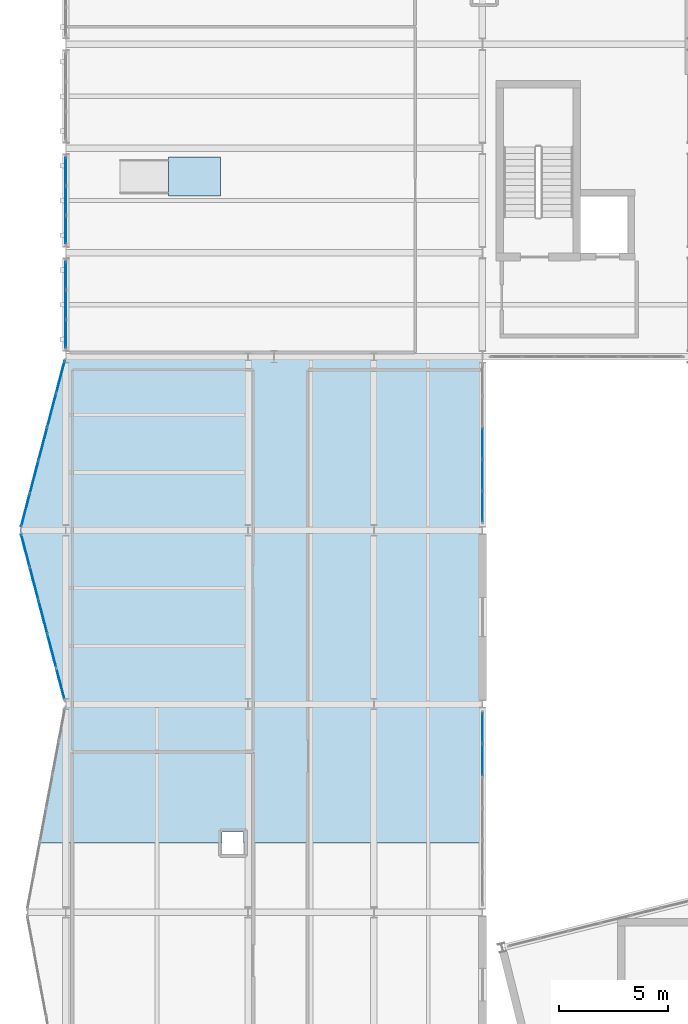
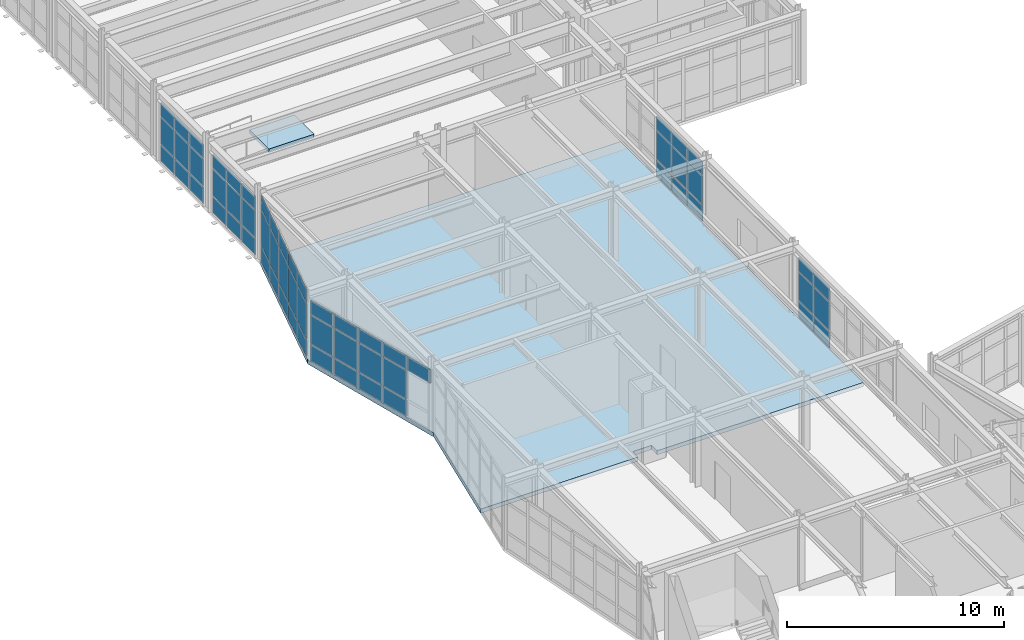
# One storey, part 49 of 76: 61 plates, 2 slabs, 6 elements without a shape of their own.
"""IFC4 building model written with IfcOpenShell, lengths in metres."""

import ifcopenshell
import ifcopenshell.guid

model = None  # the IFC model being written
_history = None  # IfcOwnerHistory: only IFC2X3 demands one
_inside = {}  # id of a spatial element -> (the spatial element, [elements in it])
_under = {}  # id of a project, library or spatial element -> (it, [spatial elements below it])
_declared = {}  # id of a project -> (the project, [libraries it declares])
_typed = {}  # id of a type object -> (the type object, [elements of that type])
_made_of = {}  # id of a material, layer set ... -> (it, [elements and type objects made of it])


def new_model(schema):
    """Start an empty IFC model of exactly this schema.

    Asked for "IFC4X3", IfcOpenShell would pick the latest addendum, in which some entities
    have other attributes; the version numbers below select the first issue.
    IFC2X3 requires an IfcOwnerHistory on every rooted entity: one is made here for all.
    """
    global model, _history
    if schema == "IFC4X3":
        model = ifcopenshell.file(schema_version=(4, 3, 0, 0))
    else:
        model = ifcopenshell.file(schema=schema)
    _inside.clear()
    _under.clear()
    _declared.clear()
    _typed.clear()
    _made_of.clear()
    _history = None
    if model.schema == "IFC2X3":
        org = make("IfcOrganization", Name="unknown")
        user = make(
            "IfcPersonAndOrganization",
            ThePerson=make("IfcPerson", FamilyName="unknown"),
            TheOrganization=org,
        )
        app = make(
            "IfcApplication",
            ApplicationDeveloper=org,
            Version="unknown",
            ApplicationFullName="unknown",
            ApplicationIdentifier="unknown",
        )
        _history = make(
            "IfcOwnerHistory",
            OwningUser=user,
            OwningApplication=app,
            ChangeAction="ADDED",
            CreationDate=0,
        )
    return model


def make(cls, **values):
    """One entity of the class cls with the attributes given. An attribute that is None is left unset."""
    return model.create_entity(
        cls, **{name: value for name, value in values.items() if value is not None}
    )


def rooted(cls, **values):
    """An entity with a GlobalId (a new one), such as an element, a storey or a relation."""
    return make(cls, GlobalId=ifcopenshell.guid.new(), OwnerHistory=_history, **values)


def si_unit(unit_type, name, prefix=None):
    """IfcSIUnit, for example si_unit("LENGTHUNIT", "METRE", prefix="MILLI")."""
    return make("IfcSIUnit", UnitType=unit_type, Prefix=prefix, Name=name)


def assignment(units):
    """IfcUnitAssignment: the units of a project."""
    return None if units is None else make("IfcUnitAssignment", Units=units)


def point(xyz):
    """IfcCartesianPoint."""
    return None if xyz is None else make("IfcCartesianPoint", Coordinates=xyz)


def direction(xyz):
    """IfcDirection."""
    return None if xyz is None else make("IfcDirection", DirectionRatios=xyz)


def frame(location, z_axis=None, x_axis=None):
    """IfcAxis2Placement3D, a coordinate frame: its origin and axes. An axis left out is left unset."""
    return make(
        "IfcAxis2Placement3D",
        Location=point(location),
        Axis=direction(z_axis),
        RefDirection=direction(x_axis),
    )


def frame_2d(location, x_axis=None):
    """IfcAxis2Placement2D, a coordinate frame in the plane: its origin and x axis."""
    return make(
        "IfcAxis2Placement2D", Location=point(location), RefDirection=direction(x_axis)
    )


def origin():
    """The frame at (0, 0, 0) with its axes left unset."""
    return frame((0.0, 0.0, 0.0))


def origin_2d():
    """The frame at (0, 0) in the plane with its x axis left unset."""
    return frame_2d((0.0, 0.0))


def place(relative_to, where):
    """IfcLocalPlacement: puts the frame where relative to a parent placement (None: the world)."""
    return make(
        "IfcLocalPlacement", PlacementRelTo=relative_to, RelativePlacement=where
    )


def context(
    kind, dimensions, precision=None, world=None, true_north=None, identifier=None
):
    """IfcGeometricRepresentationContext, for example the 3D "Model" context."""
    return make(
        "IfcGeometricRepresentationContext",
        ContextIdentifier=identifier,
        ContextType=kind,
        CoordinateSpaceDimension=dimensions,
        Precision=precision,
        WorldCoordinateSystem=world,
        TrueNorth=true_north,
    )


def subcontext(parent, identifier, kind, view, scale=None):
    """IfcGeometricRepresentationSubContext, for example "Body" below "Model"."""
    return make(
        "IfcGeometricRepresentationSubContext",
        ContextIdentifier=identifier,
        ContextType=kind,
        ParentContext=parent,
        TargetScale=scale,
        TargetView=view,
    )


def project(units=None, contexts=None):
    """IfcProject with its units and contexts."""
    return rooted(
        "IfcProject",
        Name="project",
        RepresentationContexts=contexts,
        UnitsInContext=assignment(units),
    )


def spatial(cls, under=None, at=None, **own):
    """A site, building, storey or space (cls), placed at a placement, below another one or the project."""
    s = rooted(cls, ObjectPlacement=at, **own)
    if under is not None:
        _under.setdefault(under.id(), (under, []))[1].append(s)
    return s


def polyline(points):
    """IfcPolyline through the points."""
    return make("IfcPolyline", Points=[point(p) for p in points])


def profile(cls, at=None, kind="AREA", **sizes):
    """A parametric profile (cls). Its sizes go by their IFC names, for example OverallWidth=200.0."""
    return make(cls, ProfileType=kind, Position=at, **sizes)


def rectangle(**sizes):
    """IfcRectangleProfileDef."""
    return profile("IfcRectangleProfileDef", **sizes)


def outline(outer, holes=None, kind="AREA"):
    """IfcArbitraryClosedProfileDef: a profile drawn as a closed curve; with holes, ...WithVoids."""
    if holes is None:
        return make("IfcArbitraryClosedProfileDef", ProfileType=kind, OuterCurve=outer)
    return make(
        "IfcArbitraryProfileDefWithVoids",
        ProfileType=kind,
        OuterCurve=outer,
        InnerCurves=holes,
    )


def extrude(swept, where, along, depth):
    """IfcExtrudedAreaSolid: the profile swept, set in the frame where, extruded along a direction by depth."""
    return make(
        "IfcExtrudedAreaSolid",
        SweptArea=swept,
        Position=where,
        ExtrudedDirection=direction(along),
        Depth=depth,
    )


def shape(context_of_items, identifier, shape_type, items):
    """IfcShapeRepresentation: the items that make up one representation, for example the "Body"."""
    return make(
        "IfcShapeRepresentation",
        ContextOfItems=context_of_items,
        RepresentationIdentifier=identifier,
        RepresentationType=shape_type,
        Items=items,
    )


def material(Name=None, Category=None):
    """IfcMaterial."""
    return make("IfcMaterial", Name=Name, Category=Category)


def layer(
    of_material, thickness, ventilated=None, Name=None, Category=None, Priority=None
):
    """IfcMaterialLayer: one layer of a wall or slab, of a material (None: an air gap)."""
    return make(
        "IfcMaterialLayer",
        Material=of_material,
        LayerThickness=thickness,
        IsVentilated=ventilated,
        Name=Name,
        Category=Category,
        Priority=Priority,
    )


def layer_set(layers, Name=None):
    """IfcMaterialLayerSet."""
    return make("IfcMaterialLayerSet", MaterialLayers=layers, LayerSetName=Name)


def made_of(thing, what):
    """Note that an element or type object is made of a material, layer set ...; save() writes the relation."""
    if what is not None:
        _made_of.setdefault(what.id(), (what, []))[1].append(thing)
    return thing


def type_object(cls, material=None, **own):
    """A type object (cls), such as IfcWallType, which elements share."""
    return made_of(rooted(cls, **own), material)


def element(
    cls,
    number,
    at=None,
    inside=None,
    cuts=None,
    type_object=None,
    material=None,
    context=None,
    identifier="Body",
    shape_type=None,
    held_by="IfcProductDefinitionShape",
    body=None,
    shapes=None,
    **own,
):
    """One element of the class cls, such as IfcWall. Its Tag is "e" and its number.

    at: its placement. inside: the storey or other place that contains it. cuts: it is an
    opening in that element (IfcRelVoidsElement). A single representation is given by context,
    identifier, shape_type and body (its items); several are given by shapes. held_by: the class
    of the entity that holds the representations. save() writes the other relations.
    """
    e = rooted(cls, Tag="e%d" % number, ObjectPlacement=at, **own)
    if body is not None:
        shapes = [shape(context, identifier, shape_type, body)]
    if shapes is not None:
        e.Representation = make(held_by, Representations=shapes)
    if inside is not None:
        _inside.setdefault(inside.id(), (inside, []))[1].append(e)
    if cuts is not None:
        rooted(
            "IfcRelVoidsElement", RelatingBuildingElement=cuts, RelatedOpeningElement=e
        )
    if type_object is not None:
        _typed.setdefault(type_object.id(), (type_object, []))[1].append(e)
    return made_of(e, material)


def aggregate(whole, parts):
    """IfcRelAggregates: a whole, such as a stair, and the parts it consists of."""
    return rooted("IfcRelAggregates", RelatingObject=whole, RelatedObjects=parts)


def save(model, path):
    """Write the relations noted so far, then the file.

    IfcRelAggregates (storeys below a building ...), IfcRelContainedInSpatialStructure (elements
    in a storey), IfcRelDefinesByType, IfcRelAssociatesMaterial and IfcRelDeclares: one each for
    every whole, place, type object, material and project.
    """
    for whole, parts in _under.values():
        aggregate(whole, parts)
    for where, things in _inside.values():
        rooted(
            "IfcRelContainedInSpatialStructure",
            RelatedElements=things,
            RelatingStructure=where,
        )
    for kind, things in _typed.values():
        rooted("IfcRelDefinesByType", RelatedObjects=things, RelatingType=kind)
    for what, things in _made_of.values():
        rooted("IfcRelAssociatesMaterial", RelatedObjects=things, RelatingMaterial=what)
    for by, libraries in _declared.values():
        rooted("IfcRelDeclares", RelatingContext=by, RelatedDefinitions=libraries)
    model.write(path)


model = new_model("IFC4")

# Units and contexts
model_context = context("Model", 3, precision=1e-05, world=origin(), true_north=direction((0.0, 1.0)))
body_context = subcontext(model_context, "Body", "Model", "MODEL_VIEW")
ifc_project = project(units=[si_unit("LENGTHUNIT", "METRE"), si_unit("AREAUNIT", "SQUARE_METRE"), si_unit("VOLUMEUNIT", "CUBIC_METRE"), si_unit("PLANEANGLEUNIT", "RADIAN"), si_unit("MASSUNIT", "GRAM", prefix="KILO")], contexts=[model_context])

# Site, building, storey
site_placement = place(None, origin())
site = spatial("IfcSite", under=ifc_project, at=site_placement, CompositionType="ELEMENT")
building_placement = place(site_placement, origin())
building = spatial("IfcBuilding", under=site, at=building_placement, Name="Nordkorset Police Headquarters", CompositionType="ELEMENT")
storey_placement = place(building_placement, frame((0.0, 0.0, 13.64990234375)))
storey = spatial("IfcBuildingStorey", under=building, at=storey_placement, Name="L03", CompositionType="ELEMENT", Elevation=13.64990234375)

# Curtain wall, plates
ifc_material_1 = material(Name="Aluminium alloy AW-6060", Category="aluminium")
ifc_layer_1 = layer(ifc_material_1, 0.179931640625, Name="Aluminium alloy AW-6060")
ifc_layer_set_1 = layer_set([ifc_layer_1], Name="Aluminium alloy AW-6060")
curtain_wall_type_1 = type_object("IfcCurtainWallType", Name="CW_Unit_408x342", PredefinedType="USERDEFINED", material=ifc_layer_set_1)
curtain_wall_1_placement = place(storey_placement, origin())
curtain_wall_1 = element("IfcCurtainWall", 1, at=curtain_wall_1_placement, inside=storey, type_object=curtain_wall_type_1, Name="Unitised Curtain Wall L03 V1W-0", ObjectType="UNITISED CURTAIN WALL", PredefinedType="USERDEFINED")
ifc_material_2 = material(Name="Low-iron triple glazing", Category="glass")
ifc_layer_2 = layer(ifc_material_2, 0.035888671875, Name="Low-iron triple glazing")
ifc_layer_set_2 = layer_set([ifc_layer_2], Name="Low-iron triple glazing")
plate_type = type_object("IfcPlateType", Name="CW_Panel_TripleGlazing_36", PredefinedType="CURTAIN_PANEL", material=ifc_layer_set_2)
plate_1_placement = place(storey_placement, frame((0.0, 84.25634765625, 0.06494140625), z_axis=(0.0, 0.0, 1.0), x_axis=(0.0, 1.0, 0.0)))
plate_1 = element("IfcPlate", 2, at=plate_1_placement, type_object=plate_type, Name="CW-72 panel 1.1", PredefinedType="CURTAIN_PANEL", context=body_context, shape_type="SweptSolid", body=[
    extrude(rectangle(XDim=1.262451171875, YDim=0.035888671875, at=origin_2d()), origin(), (0.0, 0.0, 1.0), 0.902587890625),
])
plate_2_placement = place(storey_placement, frame((0.0, 84.25634765625, 1.03271484375), z_axis=(0.0, 0.0, 1.0), x_axis=(0.0, 1.0, 0.0)))
plate_2 = element("IfcPlate", 3, at=plate_2_placement, type_object=plate_type, Name="CW-72 panel 1.2", PredefinedType="CURTAIN_PANEL", context=body_context, shape_type="SweptSolid", body=[
    extrude(rectangle(XDim=1.262451171875, YDim=0.035888671875, at=origin_2d()), origin(), (0.0, 0.0, 1.0), 1.5048828125),
])
plate_3_placement = place(storey_placement, frame((0.0, 84.25634765625, 2.6025390625), z_axis=(0.0, 0.0, 1.0), x_axis=(0.0, 1.0, 0.0)))
plate_3 = element("IfcPlate", 4, at=plate_3_placement, type_object=plate_type, Name="CW-72 panel 1.3", PredefinedType="CURTAIN_PANEL", context=body_context, shape_type="SweptSolid", body=[
    extrude(rectangle(XDim=1.262451171875, YDim=0.035888671875, at=origin_2d()), origin(), (0.0, 0.0, 1.0), 0.75244140625),
])
plate_4_placement = place(storey_placement, frame((0.0, 85.60009765625, 0.06494140625), z_axis=(0.0, 0.0, 1.0), x_axis=(0.0, 1.0, 0.0)))
plate_4 = element("IfcPlate", 5, at=plate_4_placement, type_object=plate_type, Name="CW-72 panel 2.1", PredefinedType="CURTAIN_PANEL", context=body_context, shape_type="SweptSolid", body=[
    extrude(rectangle(XDim=1.294921875, YDim=0.035888671875, at=origin_2d()), origin(), (0.0, 0.0, 1.0), 0.902587890625),
])
plate_5_placement = place(storey_placement, frame((0.0, 85.60009765625, 1.03271484375), z_axis=(0.0, 0.0, 1.0), x_axis=(0.0, 1.0, 0.0)))
plate_5 = element("IfcPlate", 6, at=plate_5_placement, type_object=plate_type, Name="CW-72 panel 2.2", PredefinedType="CURTAIN_PANEL", context=body_context, shape_type="SweptSolid", body=[
    extrude(rectangle(XDim=1.294921875, YDim=0.035888671875, at=origin_2d()), origin(), (0.0, 0.0, 1.0), 1.5048828125),
])
plate_6_placement = place(storey_placement, frame((0.0, 85.60009765625, 2.6025390625), z_axis=(0.0, 0.0, 1.0), x_axis=(0.0, 1.0, 0.0)))
plate_6 = element("IfcPlate", 7, at=plate_6_placement, type_object=plate_type, Name="CW-72 panel 2.3", PredefinedType="CURTAIN_PANEL", context=body_context, shape_type="SweptSolid", body=[
    extrude(rectangle(XDim=1.294921875, YDim=0.035888671875, at=origin_2d()), origin(), (0.0, 0.0, 1.0), 0.75244140625),
])
plate_7_placement = place(storey_placement, frame((0.0, 86.94384765625, 0.06494140625), z_axis=(0.0, 0.0, 1.0), x_axis=(0.0, 1.0, 0.0)))
plate_7 = element("IfcPlate", 8, at=plate_7_placement, type_object=plate_type, Name="CW-72 panel 3.1", PredefinedType="CURTAIN_PANEL", context=body_context, shape_type="SweptSolid", body=[
    extrude(rectangle(XDim=1.262451171875, YDim=0.035888671875, at=origin_2d()), origin(), (0.0, 0.0, 1.0), 0.902587890625),
])
plate_8_placement = place(storey_placement, frame((0.0, 86.94384765625, 1.03271484375), z_axis=(0.0, 0.0, 1.0), x_axis=(0.0, 1.0, 0.0)))
plate_8 = element("IfcPlate", 9, at=plate_8_placement, type_object=plate_type, Name="CW-72 panel 3.2", PredefinedType="CURTAIN_PANEL", context=body_context, shape_type="SweptSolid", body=[
    extrude(rectangle(XDim=1.262451171875, YDim=0.035888671875, at=origin_2d()), origin(), (0.0, 0.0, 1.0), 1.5048828125),
])
plate_9_placement = place(storey_placement, frame((0.0, 86.94384765625, 2.6025390625), z_axis=(0.0, 0.0, 1.0), x_axis=(0.0, 1.0, 0.0)))
plate_9 = element("IfcPlate", 10, at=plate_9_placement, type_object=plate_type, Name="CW-72 panel 3.3", PredefinedType="CURTAIN_PANEL", context=body_context, shape_type="SweptSolid", body=[
    extrude(rectangle(XDim=1.262451171875, YDim=0.035888671875, at=origin_2d()), origin(), (0.0, 0.0, 1.0), 0.75244140625),
])
aggregate(curtain_wall_1, [plate_1, plate_2, plate_3, plate_4, plate_5, plate_6, plate_7, plate_8, plate_9])

curtain_wall_2_placement = place(storey_placement, origin())
curtain_wall_2 = element("IfcCurtainWall", 11, at=curtain_wall_2_placement, inside=storey, type_object=curtain_wall_type_1, Name="Unitised Curtain Wall L03 V1W-1", ObjectType="UNITISED CURTAIN WALL", PredefinedType="USERDEFINED")
plate_10_placement = place(storey_placement, frame((0.0, 89.05615234375, 0.06494140625), z_axis=(0.0, 0.0, 1.0), x_axis=(0.0, 1.0, 0.0)))
plate_10 = element("IfcPlate", 12, at=plate_10_placement, type_object=plate_type, Name="CW-72 panel 1.1", PredefinedType="CURTAIN_PANEL", context=body_context, shape_type="SweptSolid", body=[
    extrude(rectangle(XDim=1.262451171875, YDim=0.035888671875, at=origin_2d()), origin(), (0.0, 0.0, 1.0), 0.902587890625),
])
plate_11_placement = place(storey_placement, frame((0.0, 89.05615234375, 1.03271484375), z_axis=(0.0, 0.0, 1.0), x_axis=(0.0, 1.0, 0.0)))
plate_11 = element("IfcPlate", 13, at=plate_11_placement, type_object=plate_type, Name="CW-72 panel 1.2", PredefinedType="CURTAIN_PANEL", context=body_context, shape_type="SweptSolid", body=[
    extrude(rectangle(XDim=1.262451171875, YDim=0.035888671875, at=origin_2d()), origin(), (0.0, 0.0, 1.0), 1.5048828125),
])
plate_12_placement = place(storey_placement, frame((0.0, 89.05615234375, 2.6025390625), z_axis=(0.0, 0.0, 1.0), x_axis=(0.0, 1.0, 0.0)))
plate_12 = element("IfcPlate", 14, at=plate_12_placement, type_object=plate_type, Name="CW-72 panel 1.3", PredefinedType="CURTAIN_PANEL", context=body_context, shape_type="SweptSolid", body=[
    extrude(rectangle(XDim=1.262451171875, YDim=0.035888671875, at=origin_2d()), origin(), (0.0, 0.0, 1.0), 0.75244140625),
])
plate_13_placement = place(storey_placement, frame((0.0, 90.39990234375, 0.06494140625), z_axis=(0.0, 0.0, 1.0), x_axis=(0.0, 1.0, 0.0)))
plate_13 = element("IfcPlate", 15, at=plate_13_placement, type_object=plate_type, Name="CW-72 panel 2.1", PredefinedType="CURTAIN_PANEL", context=body_context, shape_type="SweptSolid", body=[
    extrude(rectangle(XDim=1.294921875, YDim=0.035888671875, at=origin_2d()), origin(), (0.0, 0.0, 1.0), 0.902587890625),
])
plate_14_placement = place(storey_placement, frame((0.0, 90.39990234375, 1.03271484375), z_axis=(0.0, 0.0, 1.0), x_axis=(0.0, 1.0, 0.0)))
plate_14 = element("IfcPlate", 16, at=plate_14_placement, type_object=plate_type, Name="CW-72 panel 2.2", PredefinedType="CURTAIN_PANEL", context=body_context, shape_type="SweptSolid", body=[
    extrude(rectangle(XDim=1.294921875, YDim=0.035888671875, at=origin_2d()), origin(), (0.0, 0.0, 1.0), 1.5048828125),
])
plate_15_placement = place(storey_placement, frame((0.0, 90.39990234375, 2.6025390625), z_axis=(0.0, 0.0, 1.0), x_axis=(0.0, 1.0, 0.0)))
plate_15 = element("IfcPlate", 17, at=plate_15_placement, type_object=plate_type, Name="CW-72 panel 2.3", PredefinedType="CURTAIN_PANEL", context=body_context, shape_type="SweptSolid", body=[
    extrude(rectangle(XDim=1.294921875, YDim=0.035888671875, at=origin_2d()), origin(), (0.0, 0.0, 1.0), 0.75244140625),
])
plate_16_placement = place(storey_placement, frame((0.0, 91.74365234375, 0.06494140625), z_axis=(0.0, 0.0, 1.0), x_axis=(0.0, 1.0, 0.0)))
plate_16 = element("IfcPlate", 18, at=plate_16_placement, type_object=plate_type, Name="CW-72 panel 3.1", PredefinedType="CURTAIN_PANEL", context=body_context, shape_type="SweptSolid", body=[
    extrude(rectangle(XDim=1.262451171875, YDim=0.035888671875, at=origin_2d()), origin(), (0.0, 0.0, 1.0), 0.902587890625),
])
plate_17_placement = place(storey_placement, frame((0.0, 91.74365234375, 1.03271484375), z_axis=(0.0, 0.0, 1.0), x_axis=(0.0, 1.0, 0.0)))
plate_17 = element("IfcPlate", 19, at=plate_17_placement, type_object=plate_type, Name="CW-72 panel 3.2", PredefinedType="CURTAIN_PANEL", context=body_context, shape_type="SweptSolid", body=[
    extrude(rectangle(XDim=1.262451171875, YDim=0.035888671875, at=origin_2d()), origin(), (0.0, 0.0, 1.0), 1.5048828125),
])
plate_18_placement = place(storey_placement, frame((0.0, 91.74365234375, 2.6025390625), z_axis=(0.0, 0.0, 1.0), x_axis=(0.0, 1.0, 0.0)))
plate_18 = element("IfcPlate", 20, at=plate_18_placement, type_object=plate_type, Name="CW-72 panel 3.3", PredefinedType="CURTAIN_PANEL", context=body_context, shape_type="SweptSolid", body=[
    extrude(rectangle(XDim=1.262451171875, YDim=0.035888671875, at=origin_2d()), origin(), (0.0, 0.0, 1.0), 0.75244140625),
])
aggregate(curtain_wall_2, [plate_10, plate_11, plate_12, plate_13, plate_14, plate_15, plate_16, plate_17, plate_18])

ifc_material_3 = material(Name="Aluminium alloy AW-6060", Category="aluminium")
ifc_layer_3 = layer(ifc_material_3, 0.179931640625, Name="Aluminium alloy AW-6060")
ifc_layer_set_3 = layer_set([ifc_layer_3], Name="Aluminium alloy AW-6060")
curtain_wall_type_2 = type_object("IfcCurtainWallType", Name="CW_Unit_888x350", PredefinedType="USERDEFINED", material=ifc_layer_set_3)
curtain_wall_3_placement = place(storey_placement, origin())
curtain_wall_3 = element("IfcCurtainWall", 21, at=curtain_wall_3_placement, inside=storey, type_object=curtain_wall_type_2, Name="Unitised Curtain Wall L03 V3E-3", ObjectType="UNITISED CURTAIN WALL", PredefinedType="USERDEFINED")
plate_19_placement = place(storey_placement, frame((19.199951171875, 64.6201171875, 0.06494140625), z_axis=(0.0, 0.0, 1.0), x_axis=(0.0, 1.0, 0.0)))
plate_19 = element("IfcPlate", 22, at=plate_19_placement, type_object=plate_type, Name="CW-95 panel 5.1", PredefinedType="CURTAIN_PANEL", context=body_context, shape_type="SweptSolid", body=[
    extrude(rectangle(XDim=1.4150390625, YDim=0.035888671875, at=origin_2d()), origin(), (0.0, 0.0, 1.0), 0.902587890625),
])
plate_20_placement = place(storey_placement, frame((19.199951171875, 64.6201171875, 1.03271484375), z_axis=(0.0, 0.0, 1.0), x_axis=(0.0, 1.0, 0.0)))
plate_20 = element("IfcPlate", 23, at=plate_20_placement, type_object=plate_type, Name="CW-95 panel 5.2", PredefinedType="CURTAIN_PANEL", context=body_context, shape_type="SweptSolid", body=[
    extrude(rectangle(XDim=1.4150390625, YDim=0.035888671875, at=origin_2d()), origin(), (0.0, 0.0, 1.0), 1.590087890625),
])
plate_21_placement = place(storey_placement, frame((19.199951171875, 64.6201171875, 2.687744140625), z_axis=(0.0, 0.0, 1.0), x_axis=(0.0, 1.0, 0.0)))
plate_21 = element("IfcPlate", 24, at=plate_21_placement, type_object=plate_type, Name="CW-95 panel 5.3", PredefinedType="CURTAIN_PANEL", context=body_context, shape_type="SweptSolid", body=[
    extrude(rectangle(XDim=1.4150390625, YDim=0.035888671875, at=origin_2d()), origin(), (0.0, 0.0, 1.0), 0.75244140625),
])
plate_22_placement = place(storey_placement, frame((19.199951171875, 66.083740234375, 0.06494140625), z_axis=(0.0, 0.0, 1.0), x_axis=(0.0, 1.0, 0.0)))
plate_22 = element("IfcPlate", 25, at=plate_22_placement, type_object=plate_type, Name="CW-95 panel 6.1", PredefinedType="CURTAIN_PANEL", context=body_context, shape_type="SweptSolid", body=[
    extrude(rectangle(XDim=1.382568359375, YDim=0.035888671875, at=origin_2d()), origin(), (0.0, 0.0, 1.0), 0.902587890625),
])
plate_23_placement = place(storey_placement, frame((19.199951171875, 66.083740234375, 1.03271484375), z_axis=(0.0, 0.0, 1.0), x_axis=(0.0, 1.0, 0.0)))
plate_23 = element("IfcPlate", 26, at=plate_23_placement, type_object=plate_type, Name="CW-95 panel 6.2", PredefinedType="CURTAIN_PANEL", context=body_context, shape_type="SweptSolid", body=[
    extrude(rectangle(XDim=1.382568359375, YDim=0.035888671875, at=origin_2d()), origin(), (0.0, 0.0, 1.0), 1.590087890625),
])
plate_24_placement = place(storey_placement, frame((19.199951171875, 66.083740234375, 2.687744140625), z_axis=(0.0, 0.0, 1.0), x_axis=(0.0, 1.0, 0.0)))
plate_24 = element("IfcPlate", 27, at=plate_24_placement, type_object=plate_type, Name="CW-95 panel 6.3", PredefinedType="CURTAIN_PANEL", context=body_context, shape_type="SweptSolid", body=[
    extrude(rectangle(XDim=1.382568359375, YDim=0.035888671875, at=origin_2d()), origin(), (0.0, 0.0, 1.0), 0.75244140625),
])
aggregate(curtain_wall_3, [plate_19, plate_20, plate_21, plate_22, plate_23, plate_24])

ifc_material_4 = material(Name="Aluminium alloy AW-6060", Category="aluminium")
ifc_layer_4 = layer(ifc_material_4, 0.179931640625, Name="Aluminium alloy AW-6060")
ifc_layer_set_4 = layer_set([ifc_layer_4], Name="Aluminium alloy AW-6060")
curtain_wall_type_3 = type_object("IfcCurtainWallType", Name="CW_Unit_799x352", PredefinedType="USERDEFINED", material=ifc_layer_set_4)
curtain_wall_4_placement = place(storey_placement, origin())
curtain_wall_4 = element("IfcCurtainWall", 28, at=curtain_wall_4_placement, inside=storey, type_object=curtain_wall_type_3, Name="Unitised Curtain Wall L03 V3W-4", ObjectType="UNITISED CURTAIN WALL", PredefinedType="USERDEFINED")
plate_25_placement = place(storey_placement, frame((-0.24267578125, 68.1240234375, 2.70263671875), z_axis=(0.0, 0.0, 1.0), x_axis=(-0.25389698695, 0.967231265013, 0.0)))
plate_25 = element("IfcPlate", 29, at=plate_25_placement, type_object=plate_type, Name="CW-28 panel 1.3", PredefinedType="CURTAIN_PANEL", context=body_context, shape_type="SweptSolid", body=[
    extrude(rectangle(XDim=1.500732421875, YDim=0.035888671875, at=origin_2d()), origin(), (0.0, 0.0, 1.0), 0.75244140625),
])
plate_26_placement = place(storey_placement, frame((-0.644287109375, 69.654052734375, 0.06494140625), z_axis=(0.0, 0.0, 1.0), x_axis=(-0.25389698695, 0.967231265013, 0.0)))
plate_26 = element("IfcPlate", 30, at=plate_26_placement, type_object=plate_type, Name="CW-28 panel 2.1", PredefinedType="CURTAIN_PANEL", context=body_context, shape_type="SweptSolid", body=[
    extrude(rectangle(XDim=1.533203125, YDim=0.035888671875, at=origin_2d()), origin(), (0.0, 0.0, 1.0), 0.902587890625),
])
plate_27_placement = place(storey_placement, frame((-0.644287109375, 69.654052734375, 1.03271484375), z_axis=(0.0, 0.0, 1.0), x_axis=(-0.25389698695, 0.967231265013, 0.0)))
plate_27 = element("IfcPlate", 31, at=plate_27_placement, type_object=plate_type, Name="CW-28 panel 2.2", PredefinedType="CURTAIN_PANEL", context=body_context, shape_type="SweptSolid", body=[
    extrude(rectangle(XDim=1.533203125, YDim=0.035888671875, at=origin_2d()), origin(), (0.0, 0.0, 1.0), 1.60498046875),
])
plate_28_placement = place(storey_placement, frame((-0.644287109375, 69.654052734375, 2.70263671875), z_axis=(0.0, 0.0, 1.0), x_axis=(-0.25389698695, 0.967231265013, 0.0)))
plate_28 = element("IfcPlate", 32, at=plate_28_placement, type_object=plate_type, Name="CW-28 panel 2.3", PredefinedType="CURTAIN_PANEL", context=body_context, shape_type="SweptSolid", body=[
    extrude(rectangle(XDim=1.533203125, YDim=0.035888671875, at=origin_2d()), origin(), (0.0, 0.0, 1.0), 0.75244140625),
])
plate_29_placement = place(storey_placement, frame((-1.050048828125, 71.199951171875, 0.06494140625), z_axis=(0.0, 0.0, 1.0), x_axis=(-0.25389698695, 0.967231265013, 0.0)))
plate_29 = element("IfcPlate", 33, at=plate_29_placement, type_object=plate_type, Name="CW-28 panel 3.1", PredefinedType="CURTAIN_PANEL", context=body_context, shape_type="SweptSolid", body=[
    extrude(rectangle(XDim=1.533203125, YDim=0.035888671875, at=origin_2d()), origin(), (0.0, 0.0, 1.0), 0.902587890625),
])
plate_30_placement = place(storey_placement, frame((-1.050048828125, 71.199951171875, 1.03271484375), z_axis=(0.0, 0.0, 1.0), x_axis=(-0.25389698695, 0.967231265013, 0.0)))
plate_30 = element("IfcPlate", 34, at=plate_30_placement, type_object=plate_type, Name="CW-28 panel 3.2", PredefinedType="CURTAIN_PANEL", context=body_context, shape_type="SweptSolid", body=[
    extrude(rectangle(XDim=1.533203125, YDim=0.035888671875, at=origin_2d()), origin(), (0.0, 0.0, 1.0), 1.60498046875),
])
plate_31_placement = place(storey_placement, frame((-1.050048828125, 71.199951171875, 2.70263671875), z_axis=(0.0, 0.0, 1.0), x_axis=(-0.25389698695, 0.967231265013, 0.0)))
plate_31 = element("IfcPlate", 35, at=plate_31_placement, type_object=plate_type, Name="CW-28 panel 3.3", PredefinedType="CURTAIN_PANEL", context=body_context, shape_type="SweptSolid", body=[
    extrude(rectangle(XDim=1.533203125, YDim=0.035888671875, at=origin_2d()), origin(), (0.0, 0.0, 1.0), 0.75244140625),
])
plate_32_placement = place(storey_placement, frame((-1.455810546875, 72.745849609375, 0.06494140625), z_axis=(0.0, 0.0, 1.0), x_axis=(-0.25389698695, 0.967231265013, 0.0)))
plate_32 = element("IfcPlate", 36, at=plate_32_placement, type_object=plate_type, Name="CW-28 panel 4.1", PredefinedType="CURTAIN_PANEL", context=body_context, shape_type="SweptSolid", body=[
    extrude(rectangle(XDim=1.533203125, YDim=0.035888671875, at=origin_2d()), origin(), (0.0, 0.0, 1.0), 0.902587890625),
])
plate_33_placement = place(storey_placement, frame((-1.455810546875, 72.745849609375, 1.03271484375), z_axis=(0.0, 0.0, 1.0), x_axis=(-0.25389698695, 0.967231265013, 0.0)))
plate_33 = element("IfcPlate", 37, at=plate_33_placement, type_object=plate_type, Name="CW-28 panel 4.2", PredefinedType="CURTAIN_PANEL", context=body_context, shape_type="SweptSolid", body=[
    extrude(rectangle(XDim=1.533203125, YDim=0.035888671875, at=origin_2d()), origin(), (0.0, 0.0, 1.0), 1.60498046875),
])
plate_34_placement = place(storey_placement, frame((-1.455810546875, 72.745849609375, 2.70263671875), z_axis=(0.0, 0.0, 1.0), x_axis=(-0.25389698695, 0.967231265013, 0.0)))
plate_34 = element("IfcPlate", 38, at=plate_34_placement, type_object=plate_type, Name="CW-28 panel 4.3", PredefinedType="CURTAIN_PANEL", context=body_context, shape_type="SweptSolid", body=[
    extrude(rectangle(XDim=1.533203125, YDim=0.035888671875, at=origin_2d()), origin(), (0.0, 0.0, 1.0), 0.75244140625),
])
plate_35_placement = place(storey_placement, frame((-1.857421875, 74.27587890625, 0.06494140625), z_axis=(0.0, 0.0, 1.0), x_axis=(-0.25389698695, 0.967231265013, 0.0)))
plate_35 = element("IfcPlate", 39, at=plate_35_placement, type_object=plate_type, Name="CW-28 panel 5.1", PredefinedType="CURTAIN_PANEL", context=body_context, shape_type="SweptSolid", body=[
    extrude(rectangle(XDim=1.500732421875, YDim=0.035888671875, at=origin_2d()), origin(), (0.0, 0.0, 1.0), 0.902587890625),
])
plate_36_placement = place(storey_placement, frame((-1.857421875, 74.27587890625, 1.03271484375), z_axis=(0.0, 0.0, 1.0), x_axis=(-0.25389698695, 0.967231265013, 0.0)))
plate_36 = element("IfcPlate", 40, at=plate_36_placement, type_object=plate_type, Name="CW-28 panel 5.2", PredefinedType="CURTAIN_PANEL", context=body_context, shape_type="SweptSolid", body=[
    extrude(rectangle(XDim=1.500732421875, YDim=0.035888671875, at=origin_2d()), origin(), (0.0, 0.0, 1.0), 1.60498046875),
])
plate_37_placement = place(storey_placement, frame((-1.857421875, 74.27587890625, 2.70263671875), z_axis=(0.0, 0.0, 1.0), x_axis=(-0.25389698695, 0.967231265013, 0.0)))
plate_37 = element("IfcPlate", 41, at=plate_37_placement, type_object=plate_type, Name="CW-28 panel 5.3", PredefinedType="CURTAIN_PANEL", context=body_context, shape_type="SweptSolid", body=[
    extrude(rectangle(XDim=1.500732421875, YDim=0.035888671875, at=origin_2d()), origin(), (0.0, 0.0, 1.0), 0.75244140625),
])
aggregate(curtain_wall_4, [plate_25, plate_26, plate_27, plate_28, plate_29, plate_30, plate_31, plate_32, plate_33, plate_34, plate_35, plate_36, plate_37])

ifc_material_5 = material(Name="Aluminium alloy AW-6060", Category="aluminium")
ifc_layer_5 = layer(ifc_material_5, 0.179931640625, Name="Aluminium alloy AW-6060")
ifc_layer_set_5 = layer_set([ifc_layer_5], Name="Aluminium alloy AW-6060")
curtain_wall_type_4 = type_object("IfcCurtainWallType", Name="CW_Unit_799x392", PredefinedType="USERDEFINED", material=ifc_layer_set_5)
curtain_wall_5_placement = place(storey_placement, origin())
curtain_wall_5 = element("IfcCurtainWall", 42, at=curtain_wall_5_placement, inside=storey, type_object=curtain_wall_type_4, Name="Unitised Curtain Wall L03 V3W-5", ObjectType="UNITISED CURTAIN WALL", PredefinedType="USERDEFINED")
plate_38_placement = place(storey_placement, frame((-1.857421875, 76.1240234375, 0.06494140625), z_axis=(0.0, 0.0, 1.0), x_axis=(0.25389698695, 0.967231265013, 0.0)))
plate_38 = element("IfcPlate", 43, at=plate_38_placement, type_object=plate_type, Name="CW-68 panel 1.1", PredefinedType="CURTAIN_PANEL", context=body_context, shape_type="SweptSolid", body=[
    extrude(rectangle(XDim=1.500732421875, YDim=0.035888671875, at=origin_2d()), origin(), (0.0, 0.0, 1.0), 0.902587890625),
])
plate_39_placement = place(storey_placement, frame((-1.857421875, 76.1240234375, 1.03271484375), z_axis=(0.0, 0.0, 1.0), x_axis=(0.25389698695, 0.967231265013, 0.0)))
plate_39 = element("IfcPlate", 44, at=plate_39_placement, type_object=plate_type, Name="CW-68 panel 1.2", PredefinedType="CURTAIN_PANEL", context=body_context, shape_type="SweptSolid", body=[
    extrude(rectangle(XDim=1.500732421875, YDim=0.035888671875, at=origin_2d()), origin(), (0.0, 0.0, 1.0), 2.0048828125),
])
plate_40_placement = place(storey_placement, frame((-1.857421875, 76.1240234375, 3.1025390625), z_axis=(0.0, 0.0, 1.0), x_axis=(0.25389698695, 0.967231265013, 0.0)))
plate_40 = element("IfcPlate", 45, at=plate_40_placement, type_object=plate_type, Name="CW-68 panel 1.3", PredefinedType="CURTAIN_PANEL", context=body_context, shape_type="SweptSolid", body=[
    extrude(rectangle(XDim=1.500732421875, YDim=0.035888671875, at=origin_2d()), origin(), (0.0, 0.0, 1.0), 0.75244140625),
])
plate_41_placement = place(storey_placement, frame((-1.455810546875, 77.654052734375, 0.06494140625), z_axis=(0.0, 0.0, 1.0), x_axis=(0.25389698695, 0.967231265013, 0.0)))
plate_41 = element("IfcPlate", 46, at=plate_41_placement, type_object=plate_type, Name="CW-68 panel 2.1", PredefinedType="CURTAIN_PANEL", context=body_context, shape_type="SweptSolid", body=[
    extrude(rectangle(XDim=1.533203125, YDim=0.035888671875, at=origin_2d()), origin(), (0.0, 0.0, 1.0), 0.902587890625),
])
plate_42_placement = place(storey_placement, frame((-1.455810546875, 77.654052734375, 1.03271484375), z_axis=(0.0, 0.0, 1.0), x_axis=(0.25389698695, 0.967231265013, 0.0)))
plate_42 = element("IfcPlate", 47, at=plate_42_placement, type_object=plate_type, Name="CW-68 panel 2.2", PredefinedType="CURTAIN_PANEL", context=body_context, shape_type="SweptSolid", body=[
    extrude(rectangle(XDim=1.533203125, YDim=0.035888671875, at=origin_2d()), origin(), (0.0, 0.0, 1.0), 2.0048828125),
])
plate_43_placement = place(storey_placement, frame((-1.455810546875, 77.654052734375, 3.1025390625), z_axis=(0.0, 0.0, 1.0), x_axis=(0.25389698695, 0.967231265013, 0.0)))
plate_43 = element("IfcPlate", 48, at=plate_43_placement, type_object=plate_type, Name="CW-68 panel 2.3", PredefinedType="CURTAIN_PANEL", context=body_context, shape_type="SweptSolid", body=[
    extrude(rectangle(XDim=1.533203125, YDim=0.035888671875, at=origin_2d()), origin(), (0.0, 0.0, 1.0), 0.75244140625),
])
plate_44_placement = place(storey_placement, frame((-1.050048828125, 79.199951171875, 0.06494140625), z_axis=(0.0, 0.0, 1.0), x_axis=(0.25389698695, 0.967231265013, 0.0)))
plate_44 = element("IfcPlate", 49, at=plate_44_placement, type_object=plate_type, Name="CW-68 panel 3.1", PredefinedType="CURTAIN_PANEL", context=body_context, shape_type="SweptSolid", body=[
    extrude(rectangle(XDim=1.533203125, YDim=0.035888671875, at=origin_2d()), origin(), (0.0, 0.0, 1.0), 0.902587890625),
])
plate_45_placement = place(storey_placement, frame((-1.050048828125, 79.199951171875, 1.03271484375), z_axis=(0.0, 0.0, 1.0), x_axis=(0.25389698695, 0.967231265013, 0.0)))
plate_45 = element("IfcPlate", 50, at=plate_45_placement, type_object=plate_type, Name="CW-68 panel 3.2", PredefinedType="CURTAIN_PANEL", context=body_context, shape_type="SweptSolid", body=[
    extrude(rectangle(XDim=1.533203125, YDim=0.035888671875, at=origin_2d()), origin(), (0.0, 0.0, 1.0), 2.0048828125),
])
plate_46_placement = place(storey_placement, frame((-1.050048828125, 79.199951171875, 3.1025390625), z_axis=(0.0, 0.0, 1.0), x_axis=(0.25389698695, 0.967231265013, 0.0)))
plate_46 = element("IfcPlate", 51, at=plate_46_placement, type_object=plate_type, Name="CW-68 panel 3.3", PredefinedType="CURTAIN_PANEL", context=body_context, shape_type="SweptSolid", body=[
    extrude(rectangle(XDim=1.533203125, YDim=0.035888671875, at=origin_2d()), origin(), (0.0, 0.0, 1.0), 0.75244140625),
])
plate_47_placement = place(storey_placement, frame((-0.644287109375, 80.745849609375, 0.06494140625), z_axis=(0.0, 0.0, 1.0), x_axis=(0.25389698695, 0.967231265013, 0.0)))
plate_47 = element("IfcPlate", 52, at=plate_47_placement, type_object=plate_type, Name="CW-68 panel 4.1", PredefinedType="CURTAIN_PANEL", context=body_context, shape_type="SweptSolid", body=[
    extrude(rectangle(XDim=1.533203125, YDim=0.035888671875, at=origin_2d()), origin(), (0.0, 0.0, 1.0), 0.902587890625),
])
plate_48_placement = place(storey_placement, frame((-0.644287109375, 80.745849609375, 1.03271484375), z_axis=(0.0, 0.0, 1.0), x_axis=(0.25389698695, 0.967231265013, 0.0)))
plate_48 = element("IfcPlate", 53, at=plate_48_placement, type_object=plate_type, Name="CW-68 panel 4.2", PredefinedType="CURTAIN_PANEL", context=body_context, shape_type="SweptSolid", body=[
    extrude(rectangle(XDim=1.533203125, YDim=0.035888671875, at=origin_2d()), origin(), (0.0, 0.0, 1.0), 2.0048828125),
])
plate_49_placement = place(storey_placement, frame((-0.644287109375, 80.745849609375, 3.1025390625), z_axis=(0.0, 0.0, 1.0), x_axis=(0.25389698695, 0.967231265013, 0.0)))
plate_49 = element("IfcPlate", 54, at=plate_49_placement, type_object=plate_type, Name="CW-68 panel 4.3", PredefinedType="CURTAIN_PANEL", context=body_context, shape_type="SweptSolid", body=[
    extrude(rectangle(XDim=1.533203125, YDim=0.035888671875, at=origin_2d()), origin(), (0.0, 0.0, 1.0), 0.75244140625),
])
plate_50_placement = place(storey_placement, frame((-0.24267578125, 82.27587890625, 0.06494140625), z_axis=(0.0, 0.0, 1.0), x_axis=(0.25389698695, 0.967231265013, 0.0)))
plate_50 = element("IfcPlate", 55, at=plate_50_placement, type_object=plate_type, Name="CW-68 panel 5.1", PredefinedType="CURTAIN_PANEL", context=body_context, shape_type="SweptSolid", body=[
    extrude(rectangle(XDim=1.500732421875, YDim=0.035888671875, at=origin_2d()), origin(), (0.0, 0.0, 1.0), 0.902587890625),
])
plate_51_placement = place(storey_placement, frame((-0.24267578125, 82.27587890625, 1.03271484375), z_axis=(0.0, 0.0, 1.0), x_axis=(0.25389698695, 0.967231265013, 0.0)))
plate_51 = element("IfcPlate", 56, at=plate_51_placement, type_object=plate_type, Name="CW-68 panel 5.2", PredefinedType="CURTAIN_PANEL", context=body_context, shape_type="SweptSolid", body=[
    extrude(rectangle(XDim=1.500732421875, YDim=0.035888671875, at=origin_2d()), origin(), (0.0, 0.0, 1.0), 2.0048828125),
])
plate_52_placement = place(storey_placement, frame((-0.24267578125, 82.27587890625, 3.1025390625), z_axis=(0.0, 0.0, 1.0), x_axis=(0.25389698695, 0.967231265013, 0.0)))
plate_52 = element("IfcPlate", 57, at=plate_52_placement, type_object=plate_type, Name="CW-68 panel 5.3", PredefinedType="CURTAIN_PANEL", context=body_context, shape_type="SweptSolid", body=[
    extrude(rectangle(XDim=1.500732421875, YDim=0.035888671875, at=origin_2d()), origin(), (0.0, 0.0, 1.0), 0.75244140625),
])
aggregate(curtain_wall_5, [plate_38, plate_39, plate_40, plate_41, plate_42, plate_43, plate_44, plate_45, plate_46, plate_47, plate_48, plate_49, plate_50, plate_51, plate_52])

ifc_material_6 = material(Name="Aluminium alloy AW-6060", Category="aluminium")
ifc_layer_6 = layer(ifc_material_6, 0.179931640625, Name="Aluminium alloy AW-6060")
ifc_layer_set_6 = layer_set([ifc_layer_6], Name="Aluminium alloy AW-6060")
curtain_wall_type_5 = type_object("IfcCurtainWallType", Name="CW_Unit_728x350", PredefinedType="USERDEFINED", material=ifc_layer_set_6)
curtain_wall_6_placement = place(storey_placement, origin())
curtain_wall_6 = element("IfcCurtainWall", 58, at=curtain_wall_6_placement, inside=storey, type_object=curtain_wall_type_5, Name="Unitised Curtain Wall L03 V3E-5", ObjectType="UNITISED CURTAIN WALL", PredefinedType="USERDEFINED")
plate_53_placement = place(storey_placement, frame((19.199951171875, 76.30419921875, 0.06494140625), z_axis=(0.0, 0.0, 1.0), x_axis=(0.0, 1.0, 0.0)))
plate_53 = element("IfcPlate", 59, at=plate_53_placement, type_object=plate_type, Name="CW-70 panel 1.1", PredefinedType="CURTAIN_PANEL", context=body_context, shape_type="SweptSolid", body=[
    extrude(rectangle(XDim=1.3583984375, YDim=0.035888671875, at=origin_2d()), origin(), (0.0, 0.0, 1.0), 0.902587890625),
])
plate_54_placement = place(storey_placement, frame((19.199951171875, 76.30419921875, 1.03271484375), z_axis=(0.0, 0.0, 1.0), x_axis=(0.0, 1.0, 0.0)))
plate_54 = element("IfcPlate", 60, at=plate_54_placement, type_object=plate_type, Name="CW-70 panel 1.2", PredefinedType="CURTAIN_PANEL", context=body_context, shape_type="SweptSolid", body=[
    extrude(rectangle(XDim=1.3583984375, YDim=0.035888671875, at=origin_2d()), origin(), (0.0, 0.0, 1.0), 1.590087890625),
])
plate_55_placement = place(storey_placement, frame((19.199951171875, 76.30419921875, 2.687744140625), z_axis=(0.0, 0.0, 1.0), x_axis=(0.0, 1.0, 0.0)))
plate_55 = element("IfcPlate", 61, at=plate_55_placement, type_object=plate_type, Name="CW-70 panel 1.3", PredefinedType="CURTAIN_PANEL", context=body_context, shape_type="SweptSolid", body=[
    extrude(rectangle(XDim=1.3583984375, YDim=0.035888671875, at=origin_2d()), origin(), (0.0, 0.0, 1.0), 0.75244140625),
])
plate_56_placement = place(storey_placement, frame((19.199951171875, 77.743896484375, 0.06494140625), z_axis=(0.0, 0.0, 1.0), x_axis=(0.0, 1.0, 0.0)))
plate_56 = element("IfcPlate", 62, at=plate_56_placement, type_object=plate_type, Name="CW-70 panel 2.1", PredefinedType="CURTAIN_PANEL", context=body_context, shape_type="SweptSolid", body=[
    extrude(rectangle(XDim=1.39111328125, YDim=0.035888671875, at=origin_2d()), origin(), (0.0, 0.0, 1.0), 0.902587890625),
])
plate_57_placement = place(storey_placement, frame((19.199951171875, 77.743896484375, 1.03271484375), z_axis=(0.0, 0.0, 1.0), x_axis=(0.0, 1.0, 0.0)))
plate_57 = element("IfcPlate", 63, at=plate_57_placement, type_object=plate_type, Name="CW-70 panel 2.2", PredefinedType="CURTAIN_PANEL", context=body_context, shape_type="SweptSolid", body=[
    extrude(rectangle(XDim=1.39111328125, YDim=0.035888671875, at=origin_2d()), origin(), (0.0, 0.0, 1.0), 1.590087890625),
])
plate_58_placement = place(storey_placement, frame((19.199951171875, 77.743896484375, 2.687744140625), z_axis=(0.0, 0.0, 1.0), x_axis=(0.0, 1.0, 0.0)))
plate_58 = element("IfcPlate", 64, at=plate_58_placement, type_object=plate_type, Name="CW-70 panel 2.3", PredefinedType="CURTAIN_PANEL", context=body_context, shape_type="SweptSolid", body=[
    extrude(rectangle(XDim=1.39111328125, YDim=0.035888671875, at=origin_2d()), origin(), (0.0, 0.0, 1.0), 0.75244140625),
])
plate_59_placement = place(storey_placement, frame((19.199951171875, 79.199951171875, 0.06494140625), z_axis=(0.0, 0.0, 1.0), x_axis=(0.0, 1.0, 0.0)))
plate_59 = element("IfcPlate", 65, at=plate_59_placement, type_object=plate_type, Name="CW-70 panel 3.1", PredefinedType="CURTAIN_PANEL", context=body_context, shape_type="SweptSolid", body=[
    extrude(rectangle(XDim=1.39111328125, YDim=0.035888671875, at=origin_2d()), origin(), (0.0, 0.0, 1.0), 0.902587890625),
])
plate_60_placement = place(storey_placement, frame((19.199951171875, 79.199951171875, 1.03271484375), z_axis=(0.0, 0.0, 1.0), x_axis=(0.0, 1.0, 0.0)))
plate_60 = element("IfcPlate", 66, at=plate_60_placement, type_object=plate_type, Name="CW-70 panel 3.2", PredefinedType="CURTAIN_PANEL", context=body_context, shape_type="SweptSolid", body=[
    extrude(rectangle(XDim=1.39111328125, YDim=0.035888671875, at=origin_2d()), origin(), (0.0, 0.0, 1.0), 1.590087890625),
])
plate_61_placement = place(storey_placement, frame((19.199951171875, 79.199951171875, 2.687744140625), z_axis=(0.0, 0.0, 1.0), x_axis=(0.0, 1.0, 0.0)))
plate_61 = element("IfcPlate", 67, at=plate_61_placement, type_object=plate_type, Name="CW-70 panel 3.3", PredefinedType="CURTAIN_PANEL", context=body_context, shape_type="SweptSolid", body=[
    extrude(rectangle(XDim=1.39111328125, YDim=0.035888671875, at=origin_2d()), origin(), (0.0, 0.0, 1.0), 0.75244140625),
])
aggregate(curtain_wall_6, [plate_53, plate_54, plate_55, plate_56, plate_57, plate_58, plate_59, plate_60, plate_61])

# Slabs
ifc_material_7 = material(Name="Concrete C35/45", Category="concrete")
ifc_layer_7 = layer(ifc_material_7, 0.199951171875, Name="Concrete C35/45")
ifc_layer_set_7 = layer_set([ifc_layer_7], Name="Concrete C35/45")
slab_type_1 = type_object("IfcSlabType", Name="Slab_DaisPlatform_200", PredefinedType="LANDING", material=ifc_layer_set_7)
slab_1_placement = place(storey_placement, frame((0.0, 0.0, -0.059814453125)))
element("IfcSlab", 68, at=slab_1_placement, inside=storey, type_object=slab_type_1, Name="Cybercrime Operations Dais Ramp Dais Landing", PredefinedType="LANDING", context=body_context, shape_type="SweptSolid", body=[
    extrude(outline(polyline([(4.72998046875, 90.60009765625), (7.139892578125, 90.60009765625), (7.139892578125, 92.39990234375), (4.72998046875, 92.39990234375), (4.72998046875, 90.60009765625)])), origin(), (0.0, 0.0, 1.0), 0.199951171875),
])
ifc_material_8 = material(Name="Concrete C35/45", Category="concrete")
ifc_layer_8 = layer(ifc_material_8, 0.22998046875, Name="Concrete C35/45")
ifc_layer_set_8 = layer_set([ifc_layer_8], Name="Concrete C35/45")
slab_type_2 = type_object("IfcSlabType", Name="Slab_Lab_230", PredefinedType="FLOOR", material=ifc_layer_set_8)
slab_2_placement = place(storey_placement, frame((0.0, 0.0, -0.22998046875)))
element("IfcSlab", 69, at=slab_2_placement, inside=storey, type_object=slab_type_2, Name="Composite Floor Slab V3 North L03", PredefinedType="FLOOR", context=body_context, shape_type="SweptSolid", body=[
    extrude(outline(polyline([(-1.199951171875, 60.802001953125), (7.199951171875, 60.802001953125), (7.199951171875, 61.300048828125), (8.199951171875, 61.300048828125), (8.199951171875, 60.802001953125), (19.199951171875, 60.802001953125), (19.199951171875, 83.197998046875), (0.0, 83.197998046875), (-2.10009765625, 75.199951171875), (0.0, 67.199951171875), (-1.199951171875, 60.802001953125)])), origin(), (0.0, 0.0, 1.0), 0.22998046875),
])

save(model, "model.ifc")
